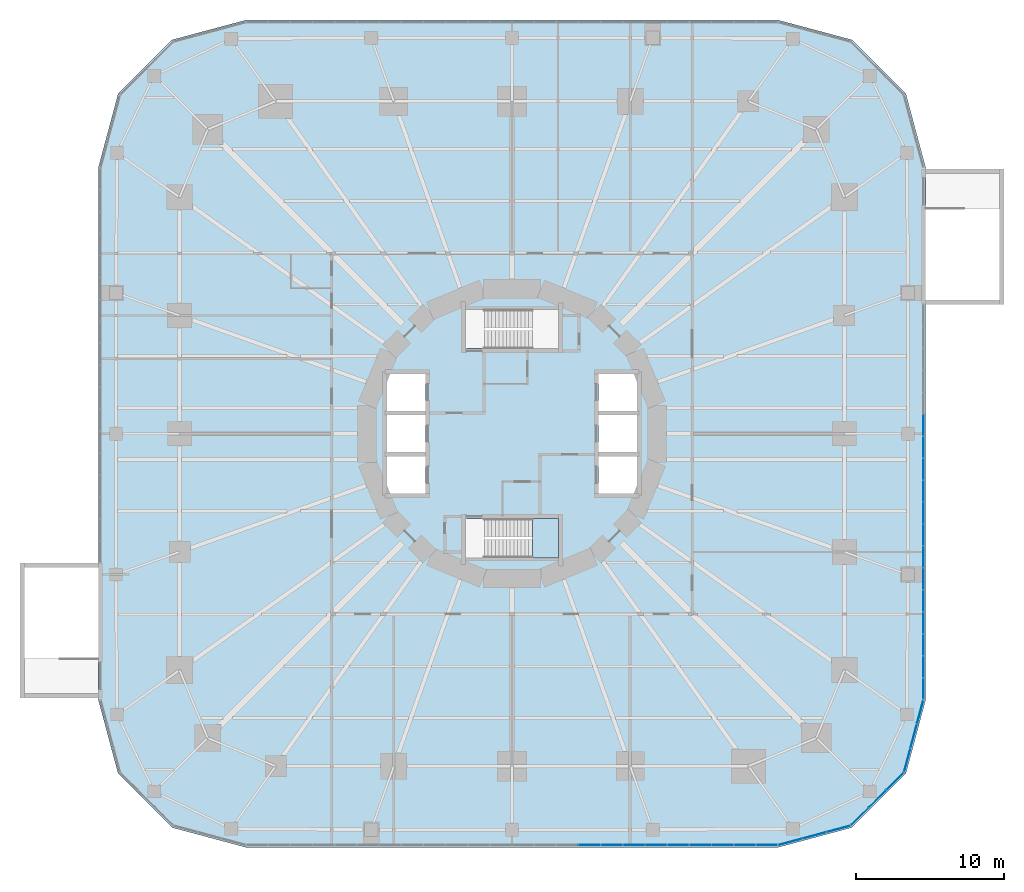
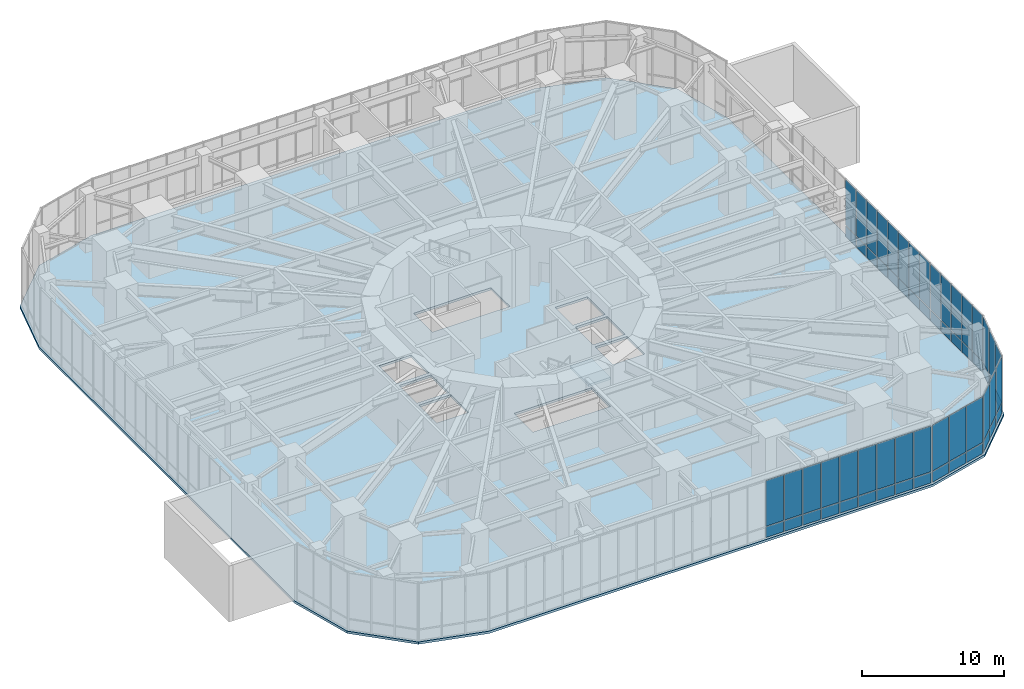
# One storey, part 18 of 24: 62 plates, 2 slabs, 6 elements without a shape of their own.
"""IFC4 building model written with IfcOpenShell, lengths in metres."""

import ifcopenshell
import ifcopenshell.guid

model = None  # the IFC model being written
_history = None  # IfcOwnerHistory: only IFC2X3 demands one
_inside = {}  # id of a spatial element -> (the spatial element, [elements in it])
_under = {}  # id of a project, library or spatial element -> (it, [spatial elements below it])
_declared = {}  # id of a project -> (the project, [libraries it declares])
_typed = {}  # id of a type object -> (the type object, [elements of that type])
_made_of = {}  # id of a material, layer set ... -> (it, [elements and type objects made of it])


def new_model(schema):
    """Start an empty IFC model of exactly this schema.

    Asked for "IFC4X3", IfcOpenShell would pick the latest addendum, in which some entities
    have other attributes; the version numbers below select the first issue.
    IFC2X3 requires an IfcOwnerHistory on every rooted entity: one is made here for all.
    """
    global model, _history
    if schema == "IFC4X3":
        model = ifcopenshell.file(schema_version=(4, 3, 0, 0))
    else:
        model = ifcopenshell.file(schema=schema)
    _inside.clear()
    _under.clear()
    _declared.clear()
    _typed.clear()
    _made_of.clear()
    _history = None
    if model.schema == "IFC2X3":
        org = make("IfcOrganization", Name="unknown")
        user = make(
            "IfcPersonAndOrganization",
            ThePerson=make("IfcPerson", FamilyName="unknown"),
            TheOrganization=org,
        )
        app = make(
            "IfcApplication",
            ApplicationDeveloper=org,
            Version="unknown",
            ApplicationFullName="unknown",
            ApplicationIdentifier="unknown",
        )
        _history = make(
            "IfcOwnerHistory",
            OwningUser=user,
            OwningApplication=app,
            ChangeAction="ADDED",
            CreationDate=0,
        )
    return model


def make(cls, **values):
    """One entity of the class cls with the attributes given. An attribute that is None is left unset."""
    return model.create_entity(
        cls, **{name: value for name, value in values.items() if value is not None}
    )


def rooted(cls, **values):
    """An entity with a GlobalId (a new one), such as an element, a storey or a relation."""
    return make(cls, GlobalId=ifcopenshell.guid.new(), OwnerHistory=_history, **values)


def si_unit(unit_type, name, prefix=None):
    """IfcSIUnit, for example si_unit("LENGTHUNIT", "METRE", prefix="MILLI")."""
    return make("IfcSIUnit", UnitType=unit_type, Prefix=prefix, Name=name)


def assignment(units):
    """IfcUnitAssignment: the units of a project."""
    return None if units is None else make("IfcUnitAssignment", Units=units)


def point(xyz):
    """IfcCartesianPoint."""
    return None if xyz is None else make("IfcCartesianPoint", Coordinates=xyz)


def direction(xyz):
    """IfcDirection."""
    return None if xyz is None else make("IfcDirection", DirectionRatios=xyz)


def frame(location, z_axis=None, x_axis=None):
    """IfcAxis2Placement3D, a coordinate frame: its origin and axes. An axis left out is left unset."""
    return make(
        "IfcAxis2Placement3D",
        Location=point(location),
        Axis=direction(z_axis),
        RefDirection=direction(x_axis),
    )


def frame_2d(location, x_axis=None):
    """IfcAxis2Placement2D, a coordinate frame in the plane: its origin and x axis."""
    return make(
        "IfcAxis2Placement2D", Location=point(location), RefDirection=direction(x_axis)
    )


def origin():
    """The frame at (0, 0, 0) with its axes left unset."""
    return frame((0.0, 0.0, 0.0))


def origin_2d():
    """The frame at (0, 0) in the plane with its x axis left unset."""
    return frame_2d((0.0, 0.0))


def place(relative_to, where):
    """IfcLocalPlacement: puts the frame where relative to a parent placement (None: the world)."""
    return make(
        "IfcLocalPlacement", PlacementRelTo=relative_to, RelativePlacement=where
    )


def context(
    kind, dimensions, precision=None, world=None, true_north=None, identifier=None
):
    """IfcGeometricRepresentationContext, for example the 3D "Model" context."""
    return make(
        "IfcGeometricRepresentationContext",
        ContextIdentifier=identifier,
        ContextType=kind,
        CoordinateSpaceDimension=dimensions,
        Precision=precision,
        WorldCoordinateSystem=world,
        TrueNorth=true_north,
    )


def subcontext(parent, identifier, kind, view, scale=None):
    """IfcGeometricRepresentationSubContext, for example "Body" below "Model"."""
    return make(
        "IfcGeometricRepresentationSubContext",
        ContextIdentifier=identifier,
        ContextType=kind,
        ParentContext=parent,
        TargetScale=scale,
        TargetView=view,
    )


def project(units=None, contexts=None):
    """IfcProject with its units and contexts."""
    return rooted(
        "IfcProject",
        Name="project",
        RepresentationContexts=contexts,
        UnitsInContext=assignment(units),
    )


def spatial(cls, under=None, at=None, **own):
    """A site, building, storey or space (cls), placed at a placement, below another one or the project."""
    s = rooted(cls, ObjectPlacement=at, **own)
    if under is not None:
        _under.setdefault(under.id(), (under, []))[1].append(s)
    return s


def polyline(points):
    """IfcPolyline through the points."""
    return make("IfcPolyline", Points=[point(p) for p in points])


def profile(cls, at=None, kind="AREA", **sizes):
    """A parametric profile (cls). Its sizes go by their IFC names, for example OverallWidth=200.0."""
    return make(cls, ProfileType=kind, Position=at, **sizes)


def rectangle(**sizes):
    """IfcRectangleProfileDef."""
    return profile("IfcRectangleProfileDef", **sizes)


def outline(outer, holes=None, kind="AREA"):
    """IfcArbitraryClosedProfileDef: a profile drawn as a closed curve; with holes, ...WithVoids."""
    if holes is None:
        return make("IfcArbitraryClosedProfileDef", ProfileType=kind, OuterCurve=outer)
    return make(
        "IfcArbitraryProfileDefWithVoids",
        ProfileType=kind,
        OuterCurve=outer,
        InnerCurves=holes,
    )


def extrude(swept, where, along, depth):
    """IfcExtrudedAreaSolid: the profile swept, set in the frame where, extruded along a direction by depth."""
    return make(
        "IfcExtrudedAreaSolid",
        SweptArea=swept,
        Position=where,
        ExtrudedDirection=direction(along),
        Depth=depth,
    )


def shape(context_of_items, identifier, shape_type, items):
    """IfcShapeRepresentation: the items that make up one representation, for example the "Body"."""
    return make(
        "IfcShapeRepresentation",
        ContextOfItems=context_of_items,
        RepresentationIdentifier=identifier,
        RepresentationType=shape_type,
        Items=items,
    )


def material(Name=None, Category=None):
    """IfcMaterial."""
    return make("IfcMaterial", Name=Name, Category=Category)


def layer(
    of_material, thickness, ventilated=None, Name=None, Category=None, Priority=None
):
    """IfcMaterialLayer: one layer of a wall or slab, of a material (None: an air gap)."""
    return make(
        "IfcMaterialLayer",
        Material=of_material,
        LayerThickness=thickness,
        IsVentilated=ventilated,
        Name=Name,
        Category=Category,
        Priority=Priority,
    )


def layer_set(layers, Name=None):
    """IfcMaterialLayerSet."""
    return make("IfcMaterialLayerSet", MaterialLayers=layers, LayerSetName=Name)


def made_of(thing, what):
    """Note that an element or type object is made of a material, layer set ...; save() writes the relation."""
    if what is not None:
        _made_of.setdefault(what.id(), (what, []))[1].append(thing)
    return thing


def type_object(cls, material=None, **own):
    """A type object (cls), such as IfcWallType, which elements share."""
    return made_of(rooted(cls, **own), material)


def element(
    cls,
    number,
    at=None,
    inside=None,
    cuts=None,
    type_object=None,
    material=None,
    context=None,
    identifier="Body",
    shape_type=None,
    held_by="IfcProductDefinitionShape",
    body=None,
    shapes=None,
    **own,
):
    """One element of the class cls, such as IfcWall. Its Tag is "e" and its number.

    at: its placement. inside: the storey or other place that contains it. cuts: it is an
    opening in that element (IfcRelVoidsElement). A single representation is given by context,
    identifier, shape_type and body (its items); several are given by shapes. held_by: the class
    of the entity that holds the representations. save() writes the other relations.
    """
    e = rooted(cls, Tag="e%d" % number, ObjectPlacement=at, **own)
    if body is not None:
        shapes = [shape(context, identifier, shape_type, body)]
    if shapes is not None:
        e.Representation = make(held_by, Representations=shapes)
    if inside is not None:
        _inside.setdefault(inside.id(), (inside, []))[1].append(e)
    if cuts is not None:
        rooted(
            "IfcRelVoidsElement", RelatingBuildingElement=cuts, RelatedOpeningElement=e
        )
    if type_object is not None:
        _typed.setdefault(type_object.id(), (type_object, []))[1].append(e)
    return made_of(e, material)


def aggregate(whole, parts):
    """IfcRelAggregates: a whole, such as a stair, and the parts it consists of."""
    return rooted("IfcRelAggregates", RelatingObject=whole, RelatedObjects=parts)


def save(model, path):
    """Write the relations noted so far, then the file.

    IfcRelAggregates (storeys below a building ...), IfcRelContainedInSpatialStructure (elements
    in a storey), IfcRelDefinesByType, IfcRelAssociatesMaterial and IfcRelDeclares: one each for
    every whole, place, type object, material and project.
    """
    for whole, parts in _under.values():
        aggregate(whole, parts)
    for where, things in _inside.values():
        rooted(
            "IfcRelContainedInSpatialStructure",
            RelatedElements=things,
            RelatingStructure=where,
        )
    for kind, things in _typed.values():
        rooted("IfcRelDefinesByType", RelatedObjects=things, RelatingType=kind)
    for what, things in _made_of.values():
        rooted("IfcRelAssociatesMaterial", RelatedObjects=things, RelatingMaterial=what)
    for by, libraries in _declared.values():
        rooted("IfcRelDeclares", RelatingContext=by, RelatedDefinitions=libraries)
    model.write(path)


model = new_model("IFC4")

# Units and contexts
model_context = context("Model", 3, precision=1e-05, world=origin(), true_north=direction((0.0, 1.0)))
body_context = subcontext(model_context, "Body", "Model", "MODEL_VIEW")
ifc_project = project(units=[si_unit("LENGTHUNIT", "METRE"), si_unit("AREAUNIT", "SQUARE_METRE"), si_unit("VOLUMEUNIT", "CUBIC_METRE"), si_unit("PLANEANGLEUNIT", "RADIAN"), si_unit("MASSUNIT", "GRAM", prefix="KILO")], contexts=[model_context])

# Site, building, storey
site_placement = place(None, origin())
site = spatial("IfcSite", under=ifc_project, at=site_placement, CompositionType="ELEMENT")
building_placement = place(site_placement, origin())
building = spatial("IfcBuilding", under=site, at=building_placement, Name="Nakasero Lantern House", CompositionType="ELEMENT")
storey_placement = place(building_placement, frame((0.0, 0.0, 11.0)))
storey = spatial("IfcBuildingStorey", under=building, at=storey_placement, Name="L02", CompositionType="ELEMENT", Elevation=11.0)

# Slab
ifc_material_1 = material(Name="Concrete C35/45", Category="concrete")
ifc_layer_1 = layer(ifc_material_1, 0.199951171875)
ifc_layer_set_1 = layer_set([ifc_layer_1], Name="Composite floor slab 200")
slab_type_1 = type_object("IfcSlabType", Name="Composite floor slab 200", PredefinedType="FLOOR", material=ifc_layer_set_1)
slab_1_placement = place(storey_placement, frame((0.0, 0.0, -0.199951171875)))
element("IfcSlab", 1, at=slab_1_placement, inside=storey, type_object=slab_type_1, Name="Floor slab L02", PredefinedType="FLOOR", context=body_context, shape_type="SweptSolid", body=[
    extrude(outline(polyline([(28.0, 18.0), (26.66015625, 23.0), (23.0, 26.66015625), (18.0, 28.0), (-18.0, 28.0), (-23.0, 26.66015625), (-26.66015625, 23.0), (-28.0, 18.0), (-28.0, -18.0), (-26.66015625, -23.0), (-23.0, -26.66015625), (-18.0, -28.0), (18.0, -28.0), (23.0, -26.66015625), (26.66015625, -23.0), (28.0, -18.0), (28.0, 18.0)]), holes=[polyline([(-8.449951171875, -4.050048828125), (-5.85009765625, -4.050048828125), (-5.85009765625, -1.550048828125), (-8.449951171875, -1.550048828125), (-8.449951171875, -4.050048828125)]), polyline([(-8.449951171875, -1.25), (-5.85009765625, -1.25), (-5.85009765625, 1.25), (-8.449951171875, 1.25), (-8.449951171875, -1.25)]), polyline([(-8.449951171875, 1.550048828125), (-5.85009765625, 1.550048828125), (-5.85009765625, 4.050048828125), (-8.449951171875, 4.050048828125), (-8.449951171875, 1.550048828125)]), polyline([(5.85009765625, -4.050048828125), (8.449951171875, -4.050048828125), (8.449951171875, -1.550048828125), (5.85009765625, -1.550048828125), (5.85009765625, -4.050048828125)]), polyline([(5.85009765625, -1.25), (8.449951171875, -1.25), (8.449951171875, 1.25), (5.85009765625, 1.25), (5.85009765625, -1.25)]), polyline([(5.85009765625, 1.550048828125), (8.449951171875, 1.550048828125), (8.449951171875, 4.050048828125), (5.85009765625, 4.050048828125), (5.85009765625, 1.550048828125)]), polyline([(-3.14990234375, 5.75), (3.14990234375, 5.75), (3.14990234375, 8.39990234375), (-3.14990234375, 8.39990234375), (-3.14990234375, 5.75)]), polyline([(-3.14990234375, -8.39990234375), (3.14990234375, -8.39990234375), (3.14990234375, -5.75), (-3.14990234375, -5.75), (-3.14990234375, -8.39990234375)])]), origin(), (0.0, 0.0, 1.0), 0.199951171875),
])

# Curtain wall, plates
ifc_material_2 = material(Name="Aluminium 6063-T6 and glass", Category="aluminium")
curtain_wall_type = type_object("IfcCurtainWallType", Name="Podium curtain wall CW-2", PredefinedType="USERDEFINED", material=ifc_material_2)
curtain_wall_1_placement = place(storey_placement, origin())
curtain_wall_1 = element("IfcCurtainWall", 2, at=curtain_wall_1_placement, inside=storey, type_object=curtain_wall_type, Name="Curtain wall CW-2 L02", ObjectType="STICK CURTAIN WALL", PredefinedType="USERDEFINED")
ifc_material_3 = material(Name="Glass", Category="glass")
ifc_layer_2 = layer(ifc_material_3, 0.028076171875)
ifc_layer_set_2 = layer_set([ifc_layer_2], Name="Glazed panel CW-2")
plate_type = type_object("IfcPlateType", Name="Glazed panel CW-2", PredefinedType="CURTAIN_PANEL", material=ifc_layer_set_2)
plate_1_placement = place(storey_placement, frame((27.85009765625, -17.241943359375, 0.06005859375), z_axis=(0.0, 0.0, 1.0), x_axis=(0.0, 1.0, 0.0)))
plate_1 = element("IfcPlate", 3, at=plate_1_placement, type_object=plate_type, Name="CW-2 panel 1.1", PredefinedType="CURTAIN_PANEL", context=body_context, shape_type="SweptSolid", body=[
    extrude(rectangle(XDim=1.39599609375, YDim=0.028076171875, at=origin_2d()), origin(), (0.0, 0.0, 1.0), 0.909912109375),
])
plate_2_placement = place(storey_placement, frame((27.85009765625, -17.241943359375, 1.0302734375), z_axis=(0.0, 0.0, 1.0), x_axis=(0.0, 1.0, 0.0)))
plate_2 = element("IfcPlate", 4, at=plate_2_placement, type_object=plate_type, Name="CW-2 panel 1.2", PredefinedType="CURTAIN_PANEL", context=body_context, shape_type="SweptSolid", body=[
    extrude(rectangle(XDim=1.39599609375, YDim=0.028076171875, at=origin_2d()), origin(), (0.0, 0.0, 1.0), 3.909912109375),
])
plate_3_placement = place(storey_placement, frame((27.85009765625, -15.770751953125, 0.06005859375), z_axis=(0.0, 0.0, 1.0), x_axis=(0.0, 1.0, 0.0)))
plate_3 = element("IfcPlate", 5, at=plate_3_placement, type_object=plate_type, Name="CW-2 panel 2.1", PredefinedType="CURTAIN_PANEL", context=body_context, shape_type="SweptSolid", body=[
    extrude(rectangle(XDim=1.426025390625, YDim=0.028076171875, at=origin_2d()), origin(), (0.0, 0.0, 1.0), 0.909912109375),
])
plate_4_placement = place(storey_placement, frame((27.85009765625, -15.770751953125, 1.0302734375), z_axis=(0.0, 0.0, 1.0), x_axis=(0.0, 1.0, 0.0)))
plate_4 = element("IfcPlate", 6, at=plate_4_placement, type_object=plate_type, Name="CW-2 panel 2.2", PredefinedType="CURTAIN_PANEL", context=body_context, shape_type="SweptSolid", body=[
    extrude(rectangle(XDim=1.426025390625, YDim=0.028076171875, at=origin_2d()), origin(), (0.0, 0.0, 1.0), 3.909912109375),
])
plate_5_placement = place(storey_placement, frame((27.85009765625, -14.28466796875, 0.06005859375), z_axis=(0.0, 0.0, 1.0), x_axis=(0.0, 1.0, 0.0)))
plate_5 = element("IfcPlate", 7, at=plate_5_placement, type_object=plate_type, Name="CW-2 panel 3.1", PredefinedType="CURTAIN_PANEL", context=body_context, shape_type="SweptSolid", body=[
    extrude(rectangle(XDim=1.426025390625, YDim=0.028076171875, at=origin_2d()), origin(), (0.0, 0.0, 1.0), 0.909912109375),
])
plate_6_placement = place(storey_placement, frame((27.85009765625, -14.28466796875, 1.0302734375), z_axis=(0.0, 0.0, 1.0), x_axis=(0.0, 1.0, 0.0)))
plate_6 = element("IfcPlate", 8, at=plate_6_placement, type_object=plate_type, Name="CW-2 panel 3.2", PredefinedType="CURTAIN_PANEL", context=body_context, shape_type="SweptSolid", body=[
    extrude(rectangle(XDim=1.426025390625, YDim=0.028076171875, at=origin_2d()), origin(), (0.0, 0.0, 1.0), 3.909912109375),
])
plate_7_placement = place(storey_placement, frame((27.85009765625, -12.798583984375, 0.06005859375), z_axis=(0.0, 0.0, 1.0), x_axis=(0.0, 1.0, 0.0)))
plate_7 = element("IfcPlate", 9, at=plate_7_placement, type_object=plate_type, Name="CW-2 panel 4.1", PredefinedType="CURTAIN_PANEL", context=body_context, shape_type="SweptSolid", body=[
    extrude(rectangle(XDim=1.426025390625, YDim=0.028076171875, at=origin_2d()), origin(), (0.0, 0.0, 1.0), 0.909912109375),
])
plate_8_placement = place(storey_placement, frame((27.85009765625, -12.798583984375, 1.0302734375), z_axis=(0.0, 0.0, 1.0), x_axis=(0.0, 1.0, 0.0)))
plate_8 = element("IfcPlate", 10, at=plate_8_placement, type_object=plate_type, Name="CW-2 panel 4.2", PredefinedType="CURTAIN_PANEL", context=body_context, shape_type="SweptSolid", body=[
    extrude(rectangle(XDim=1.426025390625, YDim=0.028076171875, at=origin_2d()), origin(), (0.0, 0.0, 1.0), 3.909912109375),
])
plate_9_placement = place(storey_placement, frame((27.85009765625, -11.3125, 0.06005859375), z_axis=(0.0, 0.0, 1.0), x_axis=(0.0, 1.0, 0.0)))
plate_9 = element("IfcPlate", 11, at=plate_9_placement, type_object=plate_type, Name="CW-2 panel 5.1", PredefinedType="CURTAIN_PANEL", context=body_context, shape_type="SweptSolid", body=[
    extrude(rectangle(XDim=1.426025390625, YDim=0.028076171875, at=origin_2d()), origin(), (0.0, 0.0, 1.0), 0.909912109375),
])
plate_10_placement = place(storey_placement, frame((27.85009765625, -11.3125, 1.0302734375), z_axis=(0.0, 0.0, 1.0), x_axis=(0.0, 1.0, 0.0)))
plate_10 = element("IfcPlate", 12, at=plate_10_placement, type_object=plate_type, Name="CW-2 panel 5.2", PredefinedType="CURTAIN_PANEL", context=body_context, shape_type="SweptSolid", body=[
    extrude(rectangle(XDim=1.426025390625, YDim=0.028076171875, at=origin_2d()), origin(), (0.0, 0.0, 1.0), 3.909912109375),
])
plate_11_placement = place(storey_placement, frame((27.85009765625, -9.826416015625, 0.06005859375), z_axis=(0.0, 0.0, 1.0), x_axis=(0.0, 1.0, 0.0)))
plate_11 = element("IfcPlate", 13, at=plate_11_placement, type_object=plate_type, Name="CW-2 panel 6.1", PredefinedType="CURTAIN_PANEL", context=body_context, shape_type="SweptSolid", body=[
    extrude(rectangle(XDim=1.426025390625, YDim=0.028076171875, at=origin_2d()), origin(), (0.0, 0.0, 1.0), 0.909912109375),
])
plate_12_placement = place(storey_placement, frame((27.85009765625, -9.826416015625, 1.0302734375), z_axis=(0.0, 0.0, 1.0), x_axis=(0.0, 1.0, 0.0)))
plate_12 = element("IfcPlate", 14, at=plate_12_placement, type_object=plate_type, Name="CW-2 panel 6.2", PredefinedType="CURTAIN_PANEL", context=body_context, shape_type="SweptSolid", body=[
    extrude(rectangle(XDim=1.426025390625, YDim=0.028076171875, at=origin_2d()), origin(), (0.0, 0.0, 1.0), 3.909912109375),
])
plate_13_placement = place(storey_placement, frame((27.85009765625, -8.34033203125, 0.06005859375), z_axis=(0.0, 0.0, 1.0), x_axis=(0.0, 1.0, 0.0)))
plate_13 = element("IfcPlate", 15, at=plate_13_placement, type_object=plate_type, Name="CW-2 panel 7.1", PredefinedType="CURTAIN_PANEL", context=body_context, shape_type="SweptSolid", body=[
    extrude(rectangle(XDim=1.426025390625, YDim=0.028076171875, at=origin_2d()), origin(), (0.0, 0.0, 1.0), 0.909912109375),
])
plate_14_placement = place(storey_placement, frame((27.85009765625, -8.34033203125, 1.0302734375), z_axis=(0.0, 0.0, 1.0), x_axis=(0.0, 1.0, 0.0)))
plate_14 = element("IfcPlate", 16, at=plate_14_placement, type_object=plate_type, Name="CW-2 panel 7.2", PredefinedType="CURTAIN_PANEL", context=body_context, shape_type="SweptSolid", body=[
    extrude(rectangle(XDim=1.426025390625, YDim=0.028076171875, at=origin_2d()), origin(), (0.0, 0.0, 1.0), 3.909912109375),
])
plate_15_placement = place(storey_placement, frame((27.85009765625, -6.854248046875, 0.06005859375), z_axis=(0.0, 0.0, 1.0), x_axis=(0.0, 1.0, 0.0)))
plate_15 = element("IfcPlate", 17, at=plate_15_placement, type_object=plate_type, Name="CW-2 panel 8.1", PredefinedType="CURTAIN_PANEL", context=body_context, shape_type="SweptSolid", body=[
    extrude(rectangle(XDim=1.426025390625, YDim=0.028076171875, at=origin_2d()), origin(), (0.0, 0.0, 1.0), 0.909912109375),
])
plate_16_placement = place(storey_placement, frame((27.85009765625, -6.854248046875, 1.0302734375), z_axis=(0.0, 0.0, 1.0), x_axis=(0.0, 1.0, 0.0)))
plate_16 = element("IfcPlate", 18, at=plate_16_placement, type_object=plate_type, Name="CW-2 panel 8.2", PredefinedType="CURTAIN_PANEL", context=body_context, shape_type="SweptSolid", body=[
    extrude(rectangle(XDim=1.426025390625, YDim=0.028076171875, at=origin_2d()), origin(), (0.0, 0.0, 1.0), 3.909912109375),
])
plate_17_placement = place(storey_placement, frame((27.85009765625, -5.3681640625, 0.06005859375), z_axis=(0.0, 0.0, 1.0), x_axis=(0.0, 1.0, 0.0)))
plate_17 = element("IfcPlate", 19, at=plate_17_placement, type_object=plate_type, Name="CW-2 panel 9.1", PredefinedType="CURTAIN_PANEL", context=body_context, shape_type="SweptSolid", body=[
    extrude(rectangle(XDim=1.426025390625, YDim=0.028076171875, at=origin_2d()), origin(), (0.0, 0.0, 1.0), 0.909912109375),
])
plate_18_placement = place(storey_placement, frame((27.85009765625, -5.3681640625, 1.0302734375), z_axis=(0.0, 0.0, 1.0), x_axis=(0.0, 1.0, 0.0)))
plate_18 = element("IfcPlate", 20, at=plate_18_placement, type_object=plate_type, Name="CW-2 panel 9.2", PredefinedType="CURTAIN_PANEL", context=body_context, shape_type="SweptSolid", body=[
    extrude(rectangle(XDim=1.426025390625, YDim=0.028076171875, at=origin_2d()), origin(), (0.0, 0.0, 1.0), 3.909912109375),
])
plate_19_placement = place(storey_placement, frame((27.85009765625, -3.8818359375, 0.06005859375), z_axis=(0.0, 0.0, 1.0), x_axis=(0.0, 1.0, 0.0)))
plate_19 = element("IfcPlate", 21, at=plate_19_placement, type_object=plate_type, Name="CW-2 panel 10.1", PredefinedType="CURTAIN_PANEL", context=body_context, shape_type="SweptSolid", body=[
    extrude(rectangle(XDim=1.426025390625, YDim=0.028076171875, at=origin_2d()), origin(), (0.0, 0.0, 1.0), 0.909912109375),
])
plate_20_placement = place(storey_placement, frame((27.85009765625, -3.8818359375, 1.0302734375), z_axis=(0.0, 0.0, 1.0), x_axis=(0.0, 1.0, 0.0)))
plate_20 = element("IfcPlate", 22, at=plate_20_placement, type_object=plate_type, Name="CW-2 panel 10.2", PredefinedType="CURTAIN_PANEL", context=body_context, shape_type="SweptSolid", body=[
    extrude(rectangle(XDim=1.426025390625, YDim=0.028076171875, at=origin_2d()), origin(), (0.0, 0.0, 1.0), 3.909912109375),
])
plate_21_placement = place(storey_placement, frame((27.85009765625, -2.395751953125, 0.06005859375), z_axis=(0.0, 0.0, 1.0), x_axis=(0.0, 1.0, 0.0)))
plate_21 = element("IfcPlate", 23, at=plate_21_placement, type_object=plate_type, Name="CW-2 panel 11.1", PredefinedType="CURTAIN_PANEL", context=body_context, shape_type="SweptSolid", body=[
    extrude(rectangle(XDim=1.426025390625, YDim=0.028076171875, at=origin_2d()), origin(), (0.0, 0.0, 1.0), 0.909912109375),
])
plate_22_placement = place(storey_placement, frame((27.85009765625, -2.395751953125, 1.0302734375), z_axis=(0.0, 0.0, 1.0), x_axis=(0.0, 1.0, 0.0)))
plate_22 = element("IfcPlate", 24, at=plate_22_placement, type_object=plate_type, Name="CW-2 panel 11.2", PredefinedType="CURTAIN_PANEL", context=body_context, shape_type="SweptSolid", body=[
    extrude(rectangle(XDim=1.426025390625, YDim=0.028076171875, at=origin_2d()), origin(), (0.0, 0.0, 1.0), 3.909912109375),
])
plate_23_placement = place(storey_placement, frame((27.85009765625, -0.90966796875, 0.06005859375), z_axis=(0.0, 0.0, 1.0), x_axis=(0.0, 1.0, 0.0)))
plate_23 = element("IfcPlate", 25, at=plate_23_placement, type_object=plate_type, Name="CW-2 panel 12.1", PredefinedType="CURTAIN_PANEL", context=body_context, shape_type="SweptSolid", body=[
    extrude(rectangle(XDim=1.426025390625, YDim=0.028076171875, at=origin_2d()), origin(), (0.0, 0.0, 1.0), 0.909912109375),
])
plate_24_placement = place(storey_placement, frame((27.85009765625, -0.90966796875, 1.0302734375), z_axis=(0.0, 0.0, 1.0), x_axis=(0.0, 1.0, 0.0)))
plate_24 = element("IfcPlate", 26, at=plate_24_placement, type_object=plate_type, Name="CW-2 panel 12.2", PredefinedType="CURTAIN_PANEL", context=body_context, shape_type="SweptSolid", body=[
    extrude(rectangle(XDim=1.426025390625, YDim=0.028076171875, at=origin_2d()), origin(), (0.0, 0.0, 1.0), 3.909912109375),
])
plate_25_placement = place(storey_placement, frame((27.85009765625, 0.576416015625, 0.06005859375), z_axis=(0.0, 0.0, 1.0), x_axis=(0.0, 1.0, 0.0)))
plate_25 = element("IfcPlate", 27, at=plate_25_placement, type_object=plate_type, Name="CW-2 panel 13.1", PredefinedType="CURTAIN_PANEL", context=body_context, shape_type="SweptSolid", body=[
    extrude(rectangle(XDim=1.426025390625, YDim=0.028076171875, at=origin_2d()), origin(), (0.0, 0.0, 1.0), 0.909912109375),
])
plate_26_placement = place(storey_placement, frame((27.85009765625, 0.576416015625, 1.0302734375), z_axis=(0.0, 0.0, 1.0), x_axis=(0.0, 1.0, 0.0)))
plate_26 = element("IfcPlate", 28, at=plate_26_placement, type_object=plate_type, Name="CW-2 panel 13.2", PredefinedType="CURTAIN_PANEL", context=body_context, shape_type="SweptSolid", body=[
    extrude(rectangle(XDim=1.426025390625, YDim=0.028076171875, at=origin_2d()), origin(), (0.0, 0.0, 1.0), 3.909912109375),
])
aggregate(curtain_wall_1, [plate_1, plate_2, plate_3, plate_4, plate_5, plate_6, plate_7, plate_8, plate_9, plate_10, plate_11, plate_12, plate_13, plate_14, plate_15, plate_16, plate_17, plate_18, plate_19, plate_20, plate_21, plate_22, plate_23, plate_24, plate_25, plate_26])

curtain_wall_2_placement = place(storey_placement, origin())
curtain_wall_2 = element("IfcCurtainWall", 29, at=curtain_wall_2_placement, inside=storey, type_object=curtain_wall_type, Name="Curtain wall CW-2 L02", ObjectType="STICK CURTAIN WALL", PredefinedType="USERDEFINED")
plate_27_placement = place(storey_placement, frame((5.25, -27.85009765625, 0.06005859375), z_axis=(0.0, 0.0, 1.0), x_axis=(1.0, 0.0, 0.0)))
plate_27 = element("IfcPlate", 30, at=plate_27_placement, type_object=plate_type, Name="CW-2 panel 16.1", PredefinedType="CURTAIN_PANEL", context=body_context, shape_type="SweptSolid", body=[
    extrude(rectangle(XDim=1.43994140625, YDim=0.028076171875, at=origin_2d()), origin(), (0.0, 0.0, 1.0), 0.909912109375),
])
plate_28_placement = place(storey_placement, frame((5.25, -27.85009765625, 1.0302734375), z_axis=(0.0, 0.0, 1.0), x_axis=(1.0, 0.0, 0.0)))
plate_28 = element("IfcPlate", 31, at=plate_28_placement, type_object=plate_type, Name="CW-2 panel 16.2", PredefinedType="CURTAIN_PANEL", context=body_context, shape_type="SweptSolid", body=[
    extrude(rectangle(XDim=1.43994140625, YDim=0.028076171875, at=origin_2d()), origin(), (0.0, 0.0, 1.0), 3.909912109375),
])
plate_29_placement = place(storey_placement, frame((6.75, -27.85009765625, 0.06005859375), z_axis=(0.0, 0.0, 1.0), x_axis=(1.0, 0.0, 0.0)))
plate_29 = element("IfcPlate", 32, at=plate_29_placement, type_object=plate_type, Name="CW-2 panel 17.1", PredefinedType="CURTAIN_PANEL", context=body_context, shape_type="SweptSolid", body=[
    extrude(rectangle(XDim=1.43994140625, YDim=0.028076171875, at=origin_2d()), origin(), (0.0, 0.0, 1.0), 0.909912109375),
])
plate_30_placement = place(storey_placement, frame((6.75, -27.85009765625, 1.0302734375), z_axis=(0.0, 0.0, 1.0), x_axis=(1.0, 0.0, 0.0)))
plate_30 = element("IfcPlate", 33, at=plate_30_placement, type_object=plate_type, Name="CW-2 panel 17.2", PredefinedType="CURTAIN_PANEL", context=body_context, shape_type="SweptSolid", body=[
    extrude(rectangle(XDim=1.43994140625, YDim=0.028076171875, at=origin_2d()), origin(), (0.0, 0.0, 1.0), 3.909912109375),
])
plate_31_placement = place(storey_placement, frame((8.25, -27.85009765625, 0.06005859375), z_axis=(0.0, 0.0, 1.0), x_axis=(1.0, 0.0, 0.0)))
plate_31 = element("IfcPlate", 34, at=plate_31_placement, type_object=plate_type, Name="CW-2 panel 18.1", PredefinedType="CURTAIN_PANEL", context=body_context, shape_type="SweptSolid", body=[
    extrude(rectangle(XDim=1.43994140625, YDim=0.028076171875, at=origin_2d()), origin(), (0.0, 0.0, 1.0), 0.909912109375),
])
plate_32_placement = place(storey_placement, frame((8.25, -27.85009765625, 1.0302734375), z_axis=(0.0, 0.0, 1.0), x_axis=(1.0, 0.0, 0.0)))
plate_32 = element("IfcPlate", 35, at=plate_32_placement, type_object=plate_type, Name="CW-2 panel 18.2", PredefinedType="CURTAIN_PANEL", context=body_context, shape_type="SweptSolid", body=[
    extrude(rectangle(XDim=1.43994140625, YDim=0.028076171875, at=origin_2d()), origin(), (0.0, 0.0, 1.0), 3.909912109375),
])
plate_33_placement = place(storey_placement, frame((9.75, -27.85009765625, 0.06005859375), z_axis=(0.0, 0.0, 1.0), x_axis=(1.0, 0.0, 0.0)))
plate_33 = element("IfcPlate", 36, at=plate_33_placement, type_object=plate_type, Name="CW-2 panel 19.1", PredefinedType="CURTAIN_PANEL", context=body_context, shape_type="SweptSolid", body=[
    extrude(rectangle(XDim=1.43994140625, YDim=0.028076171875, at=origin_2d()), origin(), (0.0, 0.0, 1.0), 0.909912109375),
])
plate_34_placement = place(storey_placement, frame((9.75, -27.85009765625, 1.0302734375), z_axis=(0.0, 0.0, 1.0), x_axis=(1.0, 0.0, 0.0)))
plate_34 = element("IfcPlate", 37, at=plate_34_placement, type_object=plate_type, Name="CW-2 panel 19.2", PredefinedType="CURTAIN_PANEL", context=body_context, shape_type="SweptSolid", body=[
    extrude(rectangle(XDim=1.43994140625, YDim=0.028076171875, at=origin_2d()), origin(), (0.0, 0.0, 1.0), 3.909912109375),
])
plate_35_placement = place(storey_placement, frame((11.25, -27.85009765625, 0.06005859375), z_axis=(0.0, 0.0, 1.0), x_axis=(1.0, 0.0, 0.0)))
plate_35 = element("IfcPlate", 38, at=plate_35_placement, type_object=plate_type, Name="CW-2 panel 20.1", PredefinedType="CURTAIN_PANEL", context=body_context, shape_type="SweptSolid", body=[
    extrude(rectangle(XDim=1.43994140625, YDim=0.028076171875, at=origin_2d()), origin(), (0.0, 0.0, 1.0), 0.909912109375),
])
plate_36_placement = place(storey_placement, frame((11.25, -27.85009765625, 1.0302734375), z_axis=(0.0, 0.0, 1.0), x_axis=(1.0, 0.0, 0.0)))
plate_36 = element("IfcPlate", 39, at=plate_36_placement, type_object=plate_type, Name="CW-2 panel 20.2", PredefinedType="CURTAIN_PANEL", context=body_context, shape_type="SweptSolid", body=[
    extrude(rectangle(XDim=1.43994140625, YDim=0.028076171875, at=origin_2d()), origin(), (0.0, 0.0, 1.0), 3.909912109375),
])
plate_37_placement = place(storey_placement, frame((12.75, -27.85009765625, 0.06005859375), z_axis=(0.0, 0.0, 1.0), x_axis=(1.0, 0.0, 0.0)))
plate_37 = element("IfcPlate", 40, at=plate_37_placement, type_object=plate_type, Name="CW-2 panel 21.1", PredefinedType="CURTAIN_PANEL", context=body_context, shape_type="SweptSolid", body=[
    extrude(rectangle(XDim=1.43994140625, YDim=0.028076171875, at=origin_2d()), origin(), (0.0, 0.0, 1.0), 0.909912109375),
])
plate_38_placement = place(storey_placement, frame((12.75, -27.85009765625, 1.0302734375), z_axis=(0.0, 0.0, 1.0), x_axis=(1.0, 0.0, 0.0)))
plate_38 = element("IfcPlate", 41, at=plate_38_placement, type_object=plate_type, Name="CW-2 panel 21.2", PredefinedType="CURTAIN_PANEL", context=body_context, shape_type="SweptSolid", body=[
    extrude(rectangle(XDim=1.43994140625, YDim=0.028076171875, at=origin_2d()), origin(), (0.0, 0.0, 1.0), 3.909912109375),
])
plate_39_placement = place(storey_placement, frame((14.25, -27.85009765625, 0.06005859375), z_axis=(0.0, 0.0, 1.0), x_axis=(1.0, 0.0, 0.0)))
plate_39 = element("IfcPlate", 42, at=plate_39_placement, type_object=plate_type, Name="CW-2 panel 22.1", PredefinedType="CURTAIN_PANEL", context=body_context, shape_type="SweptSolid", body=[
    extrude(rectangle(XDim=1.43994140625, YDim=0.028076171875, at=origin_2d()), origin(), (0.0, 0.0, 1.0), 0.909912109375),
])
plate_40_placement = place(storey_placement, frame((14.25, -27.85009765625, 1.0302734375), z_axis=(0.0, 0.0, 1.0), x_axis=(1.0, 0.0, 0.0)))
plate_40 = element("IfcPlate", 43, at=plate_40_placement, type_object=plate_type, Name="CW-2 panel 22.2", PredefinedType="CURTAIN_PANEL", context=body_context, shape_type="SweptSolid", body=[
    extrude(rectangle(XDim=1.43994140625, YDim=0.028076171875, at=origin_2d()), origin(), (0.0, 0.0, 1.0), 3.909912109375),
])
plate_41_placement = place(storey_placement, frame((15.75, -27.85009765625, 0.06005859375), z_axis=(0.0, 0.0, 1.0), x_axis=(1.0, 0.0, 0.0)))
plate_41 = element("IfcPlate", 44, at=plate_41_placement, type_object=plate_type, Name="CW-2 panel 23.1", PredefinedType="CURTAIN_PANEL", context=body_context, shape_type="SweptSolid", body=[
    extrude(rectangle(XDim=1.43994140625, YDim=0.028076171875, at=origin_2d()), origin(), (0.0, 0.0, 1.0), 0.909912109375),
])
plate_42_placement = place(storey_placement, frame((15.75, -27.85009765625, 1.0302734375), z_axis=(0.0, 0.0, 1.0), x_axis=(1.0, 0.0, 0.0)))
plate_42 = element("IfcPlate", 45, at=plate_42_placement, type_object=plate_type, Name="CW-2 panel 23.2", PredefinedType="CURTAIN_PANEL", context=body_context, shape_type="SweptSolid", body=[
    extrude(rectangle(XDim=1.43994140625, YDim=0.028076171875, at=origin_2d()), origin(), (0.0, 0.0, 1.0), 3.909912109375),
])
plate_43_placement = place(storey_placement, frame((17.235107421875, -27.85009765625, 0.06005859375), z_axis=(0.0, 0.0, 1.0), x_axis=(1.0, 0.0, 0.0)))
plate_43 = element("IfcPlate", 46, at=plate_43_placement, type_object=plate_type, Name="CW-2 panel 24.1", PredefinedType="CURTAIN_PANEL", context=body_context, shape_type="SweptSolid", body=[
    extrude(rectangle(XDim=1.409912109375, YDim=0.028076171875, at=origin_2d()), origin(), (0.0, 0.0, 1.0), 0.909912109375),
])
plate_44_placement = place(storey_placement, frame((17.235107421875, -27.85009765625, 1.0302734375), z_axis=(0.0, 0.0, 1.0), x_axis=(1.0, 0.0, 0.0)))
plate_44 = element("IfcPlate", 47, at=plate_44_placement, type_object=plate_type, Name="CW-2 panel 24.2", PredefinedType="CURTAIN_PANEL", context=body_context, shape_type="SweptSolid", body=[
    extrude(rectangle(XDim=1.409912109375, YDim=0.028076171875, at=origin_2d()), origin(), (0.0, 0.0, 1.0), 3.909912109375),
])
aggregate(curtain_wall_2, [plate_27, plate_28, plate_29, plate_30, plate_31, plate_32, plate_33, plate_34, plate_35, plate_36, plate_37, plate_38, plate_39, plate_40, plate_41, plate_42, plate_43, plate_44])

curtain_wall_3_placement = place(storey_placement, origin())
curtain_wall_3 = element("IfcCurtainWall", 48, at=curtain_wall_3_placement, inside=storey, type_object=curtain_wall_type, Name="Curtain wall CW-2 L02", ObjectType="STICK CURTAIN WALL", PredefinedType="USERDEFINED")
plate_45_placement = place(storey_placement, frame((18.835205078125, -27.626220703125, 0.06005859375), z_axis=(0.0, 0.0, 1.0), x_axis=(0.965925826276, 0.258819045153, 0.0)))
plate_45 = element("IfcPlate", 49, at=plate_45_placement, type_object=plate_type, Name="CW-2 panel 1.1", PredefinedType="CURTAIN_PANEL", context=body_context, shape_type="SweptSolid", body=[
    extrude(rectangle(XDim=1.609619140625, YDim=0.028076171875, at=origin_2d()), origin(), (0.0, 0.0, 1.0), 0.909912109375),
])
plate_46_placement = place(storey_placement, frame((18.835205078125, -27.626220703125, 1.0302734375), z_axis=(0.0, 0.0, 1.0), x_axis=(0.965925826276, 0.258819045153, 0.0)))
plate_46 = element("IfcPlate", 50, at=plate_46_placement, type_object=plate_type, Name="CW-2 panel 1.2", PredefinedType="CURTAIN_PANEL", context=body_context, shape_type="SweptSolid", body=[
    extrude(rectangle(XDim=1.609619140625, YDim=0.028076171875, at=origin_2d()), origin(), (0.0, 0.0, 1.0), 3.909912109375),
])
plate_47_placement = place(storey_placement, frame((20.46240234375, -27.190185546875, 0.06005859375), z_axis=(0.0, 0.0, 1.0), x_axis=(0.965925826276, 0.258819045153, 0.0)))
plate_47 = element("IfcPlate", 51, at=plate_47_placement, type_object=plate_type, Name="CW-2 panel 2.1", PredefinedType="CURTAIN_PANEL", context=body_context, shape_type="SweptSolid", body=[
    extrude(rectangle(XDim=1.6396484375, YDim=0.028076171875, at=origin_2d()), origin(), (0.0, 0.0, 1.0), 0.909912109375),
])
plate_48_placement = place(storey_placement, frame((20.46240234375, -27.190185546875, 1.0302734375), z_axis=(0.0, 0.0, 1.0), x_axis=(0.965925826276, 0.258819045153, 0.0)))
plate_48 = element("IfcPlate", 52, at=plate_48_placement, type_object=plate_type, Name="CW-2 panel 2.2", PredefinedType="CURTAIN_PANEL", context=body_context, shape_type="SweptSolid", body=[
    extrude(rectangle(XDim=1.6396484375, YDim=0.028076171875, at=origin_2d()), origin(), (0.0, 0.0, 1.0), 3.909912109375),
])
plate_49_placement = place(storey_placement, frame((22.089599609375, -26.754150390625, 0.06005859375), z_axis=(0.0, 0.0, 1.0), x_axis=(0.965925826276, 0.258819045153, 0.0)))
plate_49 = element("IfcPlate", 53, at=plate_49_placement, type_object=plate_type, Name="CW-2 panel 3.1", PredefinedType="CURTAIN_PANEL", context=body_context, shape_type="SweptSolid", body=[
    extrude(rectangle(XDim=1.609619140625, YDim=0.028076171875, at=origin_2d()), origin(), (0.0, 0.0, 1.0), 0.909912109375),
])
plate_50_placement = place(storey_placement, frame((22.089599609375, -26.754150390625, 1.0302734375), z_axis=(0.0, 0.0, 1.0), x_axis=(0.965925826276, 0.258819045153, 0.0)))
plate_50 = element("IfcPlate", 54, at=plate_50_placement, type_object=plate_type, Name="CW-2 panel 3.2", PredefinedType="CURTAIN_PANEL", context=body_context, shape_type="SweptSolid", body=[
    extrude(rectangle(XDim=1.609619140625, YDim=0.028076171875, at=origin_2d()), origin(), (0.0, 0.0, 1.0), 3.909912109375),
])
aggregate(curtain_wall_3, [plate_45, plate_46, plate_47, plate_48, plate_49, plate_50])

curtain_wall_4_placement = place(storey_placement, origin())
curtain_wall_4 = element("IfcCurtainWall", 55, at=curtain_wall_4_placement, inside=storey, type_object=curtain_wall_type, Name="Curtain wall CW-2 L02", ObjectType="STICK CURTAIN WALL", PredefinedType="USERDEFINED")
plate_51_placement = place(storey_placement, frame((23.536376953125, -25.9189453125, 0.06005859375), z_axis=(0.0, 0.0, 1.0), x_axis=(0.707106781187, 0.707106781187, 0.0)))
plate_51 = element("IfcPlate", 56, at=plate_51_placement, type_object=plate_type, Name="CW-2 panel 1.1", PredefinedType="CURTAIN_PANEL", context=body_context, shape_type="SweptSolid", body=[
    extrude(rectangle(XDim=1.609619140625, YDim=0.028076171875, at=origin_2d()), origin(), (0.0, 0.0, 1.0), 0.909912109375),
])
plate_52_placement = place(storey_placement, frame((23.536376953125, -25.9189453125, 1.0302734375), z_axis=(0.0, 0.0, 1.0), x_axis=(0.707106781187, 0.707106781187, 0.0)))
plate_52 = element("IfcPlate", 57, at=plate_52_placement, type_object=plate_type, Name="CW-2 panel 1.2", PredefinedType="CURTAIN_PANEL", context=body_context, shape_type="SweptSolid", body=[
    extrude(rectangle(XDim=1.609619140625, YDim=0.028076171875, at=origin_2d()), origin(), (0.0, 0.0, 1.0), 3.909912109375),
])
plate_53_placement = place(storey_placement, frame((24.727783203125, -24.727783203125, 0.06005859375), z_axis=(0.0, 0.0, 1.0), x_axis=(0.707106781187, 0.707106781187, 0.0)))
plate_53 = element("IfcPlate", 58, at=plate_53_placement, type_object=plate_type, Name="CW-2 panel 2.1", PredefinedType="CURTAIN_PANEL", context=body_context, shape_type="SweptSolid", body=[
    extrude(rectangle(XDim=1.6396484375, YDim=0.028076171875, at=origin_2d()), origin(), (0.0, 0.0, 1.0), 0.909912109375),
])
plate_54_placement = place(storey_placement, frame((24.727783203125, -24.727783203125, 1.0302734375), z_axis=(0.0, 0.0, 1.0), x_axis=(0.707106781187, 0.707106781187, 0.0)))
plate_54 = element("IfcPlate", 59, at=plate_54_placement, type_object=plate_type, Name="CW-2 panel 2.2", PredefinedType="CURTAIN_PANEL", context=body_context, shape_type="SweptSolid", body=[
    extrude(rectangle(XDim=1.6396484375, YDim=0.028076171875, at=origin_2d()), origin(), (0.0, 0.0, 1.0), 3.909912109375),
])
plate_55_placement = place(storey_placement, frame((25.9189453125, -23.536376953125, 0.06005859375), z_axis=(0.0, 0.0, 1.0), x_axis=(0.707106781187, 0.707106781187, 0.0)))
plate_55 = element("IfcPlate", 60, at=plate_55_placement, type_object=plate_type, Name="CW-2 panel 3.1", PredefinedType="CURTAIN_PANEL", context=body_context, shape_type="SweptSolid", body=[
    extrude(rectangle(XDim=1.609619140625, YDim=0.028076171875, at=origin_2d()), origin(), (0.0, 0.0, 1.0), 0.909912109375),
])
plate_56_placement = place(storey_placement, frame((25.9189453125, -23.536376953125, 1.0302734375), z_axis=(0.0, 0.0, 1.0), x_axis=(0.707106781187, 0.707106781187, 0.0)))
plate_56 = element("IfcPlate", 61, at=plate_56_placement, type_object=plate_type, Name="CW-2 panel 3.2", PredefinedType="CURTAIN_PANEL", context=body_context, shape_type="SweptSolid", body=[
    extrude(rectangle(XDim=1.609619140625, YDim=0.028076171875, at=origin_2d()), origin(), (0.0, 0.0, 1.0), 3.909912109375),
])
aggregate(curtain_wall_4, [plate_51, plate_52, plate_53, plate_54, plate_55, plate_56])

curtain_wall_5_placement = place(storey_placement, origin())
curtain_wall_5 = element("IfcCurtainWall", 62, at=curtain_wall_5_placement, inside=storey, type_object=curtain_wall_type, Name="Curtain wall CW-2 L02", ObjectType="STICK CURTAIN WALL", PredefinedType="USERDEFINED")
plate_57_placement = place(storey_placement, frame((26.754150390625, -22.089599609375, 0.06005859375), z_axis=(0.0, 0.0, 1.0), x_axis=(0.258819045153, 0.965925826276, 0.0)))
plate_57 = element("IfcPlate", 63, at=plate_57_placement, type_object=plate_type, Name="CW-2 panel 1.1", PredefinedType="CURTAIN_PANEL", context=body_context, shape_type="SweptSolid", body=[
    extrude(rectangle(XDim=1.609619140625, YDim=0.028076171875, at=origin_2d()), origin(), (0.0, 0.0, 1.0), 0.909912109375),
])
plate_58_placement = place(storey_placement, frame((26.754150390625, -22.089599609375, 1.0302734375), z_axis=(0.0, 0.0, 1.0), x_axis=(0.258819045153, 0.965925826276, 0.0)))
plate_58 = element("IfcPlate", 64, at=plate_58_placement, type_object=plate_type, Name="CW-2 panel 1.2", PredefinedType="CURTAIN_PANEL", context=body_context, shape_type="SweptSolid", body=[
    extrude(rectangle(XDim=1.609619140625, YDim=0.028076171875, at=origin_2d()), origin(), (0.0, 0.0, 1.0), 3.909912109375),
])
plate_59_placement = place(storey_placement, frame((27.190185546875, -20.46240234375, 0.06005859375), z_axis=(0.0, 0.0, 1.0), x_axis=(0.258819045153, 0.965925826276, 0.0)))
plate_59 = element("IfcPlate", 65, at=plate_59_placement, type_object=plate_type, Name="CW-2 panel 2.1", PredefinedType="CURTAIN_PANEL", context=body_context, shape_type="SweptSolid", body=[
    extrude(rectangle(XDim=1.6396484375, YDim=0.028076171875, at=origin_2d()), origin(), (0.0, 0.0, 1.0), 0.909912109375),
])
plate_60_placement = place(storey_placement, frame((27.190185546875, -20.46240234375, 1.0302734375), z_axis=(0.0, 0.0, 1.0), x_axis=(0.258819045153, 0.965925826276, 0.0)))
plate_60 = element("IfcPlate", 66, at=plate_60_placement, type_object=plate_type, Name="CW-2 panel 2.2", PredefinedType="CURTAIN_PANEL", context=body_context, shape_type="SweptSolid", body=[
    extrude(rectangle(XDim=1.6396484375, YDim=0.028076171875, at=origin_2d()), origin(), (0.0, 0.0, 1.0), 3.909912109375),
])
plate_61_placement = place(storey_placement, frame((27.626220703125, -18.835205078125, 0.06005859375), z_axis=(0.0, 0.0, 1.0), x_axis=(0.258819045153, 0.965925826276, 0.0)))
plate_61 = element("IfcPlate", 67, at=plate_61_placement, type_object=plate_type, Name="CW-2 panel 3.1", PredefinedType="CURTAIN_PANEL", context=body_context, shape_type="SweptSolid", body=[
    extrude(rectangle(XDim=1.609619140625, YDim=0.028076171875, at=origin_2d()), origin(), (0.0, 0.0, 1.0), 0.909912109375),
])
plate_62_placement = place(storey_placement, frame((27.626220703125, -18.835205078125, 1.0302734375), z_axis=(0.0, 0.0, 1.0), x_axis=(0.258819045153, 0.965925826276, 0.0)))
plate_62 = element("IfcPlate", 68, at=plate_62_placement, type_object=plate_type, Name="CW-2 panel 3.2", PredefinedType="CURTAIN_PANEL", context=body_context, shape_type="SweptSolid", body=[
    extrude(rectangle(XDim=1.609619140625, YDim=0.028076171875, at=origin_2d()), origin(), (0.0, 0.0, 1.0), 3.909912109375),
])
aggregate(curtain_wall_5, [plate_57, plate_58, plate_59, plate_60, plate_61, plate_62])

# Stair, slab
ifc_material_4 = material(Name="Concrete C40/50", Category="concrete")
stair_type = type_object("IfcStairType", Name="Escape stair ST2 28 risers", PredefinedType="HALF_TURN_STAIR", material=ifc_material_4)
stair_placement = place(storey_placement, origin())
stair = element("IfcStair", 69, at=stair_placement, inside=storey, type_object=stair_type, Name="Escape stair ST2 L02", PredefinedType="HALF_TURN_STAIR")
ifc_material_5 = material(Name="Concrete C40/50", Category="concrete")
ifc_layer_3 = layer(ifc_material_5, 0.199951171875)
ifc_layer_set_3 = layer_set([ifc_layer_3], Name="Stair landing 200")
slab_type_2 = type_object("IfcSlabType", Name="Stair landing 200", PredefinedType="LANDING", material=ifc_layer_set_3)
slab_2_placement = place(storey_placement, frame((0.0, 0.0, 2.300048828125)))
slab_2 = element("IfcSlab", 70, at=slab_2_placement, type_object=slab_type_2, Name="ST2 landing 2", PredefinedType="LANDING", context=body_context, shape_type="SweptSolid", body=[
    extrude(outline(polyline([(1.375, -8.39990234375), (3.14990234375, -8.39990234375), (3.14990234375, -5.75), (1.375, -5.75), (1.375, -8.39990234375)])), origin(), (0.0, 0.0, 1.0), 0.199951171875),
])
aggregate(stair, [slab_2])

save(model, "model.ifc")
